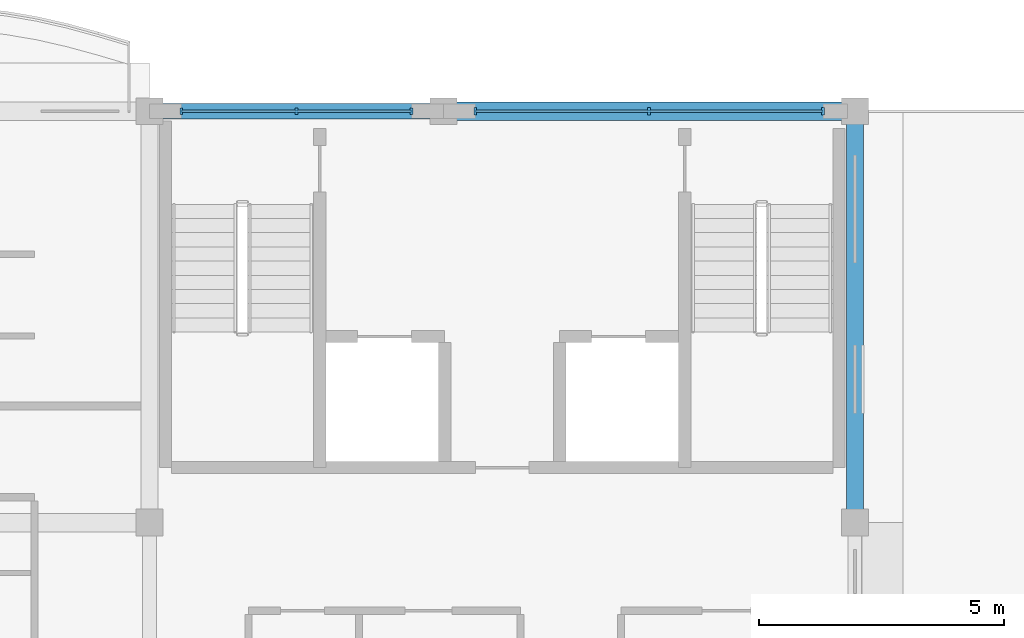
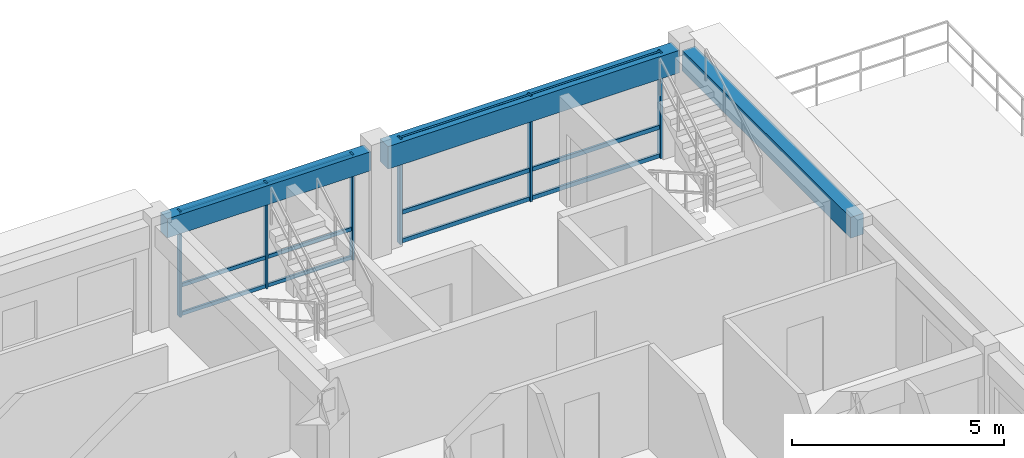
# One storey, part 17 of 68: 12 members, 3 beams, 2 elements without a shape of their own.
"""IFC4 building model written with IfcOpenShell, lengths in metres."""

from ifc_helpers import new_model, si_unit, direction, frame, origin, origin_2d, place, context, subcontext, project, spatial, rectangle, extrude, material, material_profile, profile_set, type_object, element, aggregate, save


model = new_model("IFC4")

# Units and contexts
model_context = context("Model", 3, precision=1e-05, world=origin(), true_north=direction((0.0, 1.0)))
body_context = subcontext(model_context, "Body", "Model", "MODEL_VIEW")
ifc_project = project(units=[si_unit("LENGTHUNIT", "METRE"), si_unit("AREAUNIT", "SQUARE_METRE"), si_unit("VOLUMEUNIT", "CUBIC_METRE"), si_unit("PLANEANGLEUNIT", "RADIAN"), si_unit("MASSUNIT", "GRAM", prefix="KILO"), si_unit("THERMODYNAMICTEMPERATUREUNIT", "KELVIN")], contexts=[model_context])

# Site, building, storey
site_placement = place(None, origin())
site = spatial("IfcSite", under=ifc_project, at=site_placement, CompositionType="ELEMENT")
building_placement = place(site_placement, origin())
building = spatial("IfcBuilding", under=site, at=building_placement, Name="Thalorik Housing Commons", CompositionType="ELEMENT")
storey_placement = place(building_placement, frame((0.0, 0.0, 24.60009765625)))
storey = spatial("IfcBuildingStorey", under=building, at=storey_placement, Name="L07", CompositionType="ELEMENT", Elevation=24.60009765625)

# Curtain wall, members
ifc_material_1 = material(Name="Anodised aluminium and solar-control low-E glass", Category="aluminium")
curtain_wall_type = type_object("IfcCurtainWallType", Name="ARC-CW-CORE", PredefinedType="USERDEFINED", material=ifc_material_1)
curtain_wall_1_placement = place(storey_placement, origin())
curtain_wall_1 = element("IfcCurtainWall", 1, at=curtain_wall_1_placement, inside=storey, type_object=curtain_wall_type, Name="L07 Curtain Wall CW-CORE-L07-B-102", ObjectType="CURTAIN WALL", PredefinedType="USERDEFINED")
ifc_material_2 = material(Name="Anodised aluminium 6063-T6", Category="aluminium")
ifc_material_profile_1 = material_profile(ifc_material_2, rectangle(XDim=0.054931640625, YDim=0.139892578125, at=origin_2d()), Name="ALU MUL 55x140", Category="aluminium")
ifc_profile_set_1 = profile_set([ifc_material_profile_1], Name="Anodised aluminium 6063-T6")
member_type_1 = type_object("IfcMemberType", Name="ARC-CW-MUL-55x140", PredefinedType="MULLION", material=ifc_profile_set_1)
member_1_placement = place(storey_placement, frame((157.75, 123.60009765625, 0.0), z_axis=(0.0, 0.0, 1.0), x_axis=(-1.0, 0.0, 0.0)))
member_1 = element("IfcMember", 2, at=member_1_placement, type_object=member_type_1, Name="CW-CORE-L07-B-102 Mullion 1", PredefinedType="MULLION", context=body_context, shape_type="SweptSolid", body=[
    extrude(rectangle(XDim=0.054931640625, YDim=0.139892578125, at=origin_2d()), origin(), (0.0, 0.0, 1.0), 3.039794921875),
])
member_2_placement = place(storey_placement, frame((155.39990234375, 123.60009765625, 0.0), z_axis=(0.0, 0.0, 1.0), x_axis=(-1.0, 0.0, 0.0)))
member_2 = element("IfcMember", 3, at=member_2_placement, type_object=member_type_1, Name="CW-CORE-L07-B-102 Mullion 2", PredefinedType="MULLION", context=body_context, shape_type="SweptSolid", body=[
    extrude(rectangle(XDim=0.054931640625, YDim=0.139892578125, at=origin_2d()), origin(), (0.0, 0.0, 1.0), 3.039794921875),
])
member_3_placement = place(storey_placement, frame((153.050048828125, 123.60009765625, 0.0), z_axis=(0.0, 0.0, 1.0), x_axis=(-1.0, 0.0, 0.0)))
member_3 = element("IfcMember", 4, at=member_3_placement, type_object=member_type_1, Name="CW-CORE-L07-B-102 Mullion 3", PredefinedType="MULLION", context=body_context, shape_type="SweptSolid", body=[
    extrude(rectangle(XDim=0.054931640625, YDim=0.139892578125, at=origin_2d()), origin(), (0.0, 0.0, 1.0), 3.039794921875),
])

curtain_wall_2_placement = place(storey_placement, origin())
curtain_wall_2 = element("IfcCurtainWall", 5, at=curtain_wall_2_placement, inside=storey, type_object=curtain_wall_type, Name="L07 Curtain Wall CW-CORE-L07-B-101", ObjectType="CURTAIN WALL", PredefinedType="USERDEFINED")
ifc_material_profile_2 = material_profile(ifc_material_2, rectangle(XDim=0.06005859375, YDim=0.159912109375, at=origin_2d()), Name="ALU MUL 60x160", Category="aluminium")
ifc_profile_set_2 = profile_set([ifc_material_profile_2], Name="Anodised aluminium 6063-T6")
member_type_2 = type_object("IfcMemberType", Name="ARC-CW-MUL-60x160", PredefinedType="MULLION", material=ifc_profile_set_2)
member_4_placement = place(storey_placement, frame((166.14990234375, 123.60009765625, 0.0), z_axis=(0.0, 0.0, 1.0), x_axis=(-1.0, 0.0, 0.0)))
member_4 = element("IfcMember", 6, at=member_4_placement, type_object=member_type_2, Name="CW-CORE-L07-B-101 Mullion 1", PredefinedType="MULLION", context=body_context, shape_type="SweptSolid", body=[
    extrude(rectangle(XDim=0.06005859375, YDim=0.159912109375, at=origin_2d()), origin(), (0.0, 0.0, 1.0), 3.039794921875),
])
member_5_placement = place(storey_placement, frame((162.60009765625, 123.60009765625, 0.0), z_axis=(0.0, 0.0, 1.0), x_axis=(-1.0, 0.0, 0.0)))
member_5 = element("IfcMember", 7, at=member_5_placement, type_object=member_type_2, Name="CW-CORE-L07-B-101 Mullion 2", PredefinedType="MULLION", context=body_context, shape_type="SweptSolid", body=[
    extrude(rectangle(XDim=0.06005859375, YDim=0.159912109375, at=origin_2d()), origin(), (0.0, 0.0, 1.0), 3.039794921875),
])
member_6_placement = place(storey_placement, frame((159.050048828125, 123.60009765625, 0.0), z_axis=(0.0, 0.0, 1.0), x_axis=(-1.0, 0.0, 0.0)))
member_6 = element("IfcMember", 8, at=member_6_placement, type_object=member_type_2, Name="CW-CORE-L07-B-101 Mullion 3", PredefinedType="MULLION", context=body_context, shape_type="SweptSolid", body=[
    extrude(rectangle(XDim=0.06005859375, YDim=0.159912109375, at=origin_2d()), origin(), (0.0, 0.0, 1.0), 3.039794921875),
])

# Member
ifc_material_profile_3 = material_profile(ifc_material_2, rectangle(XDim=0.054931640625, YDim=0.10498046875, at=origin_2d()), Name="ALU TRN 55x105", Category="aluminium")
ifc_profile_set_3 = profile_set([ifc_material_profile_3], Name="Anodised aluminium 6063-T6")
member_type_3 = type_object("IfcMemberType", Name="ARC-CW-TRN-55x105", PredefinedType="USERDEFINED", material=ifc_profile_set_3)
member_7_placement = place(storey_placement, frame((157.75, 123.60009765625, 0.054931640625), z_axis=(-1.0, 0.0, 0.0), x_axis=(0.0, -1.0, 0.0)))
member_7 = element("IfcMember", 9, at=member_7_placement, type_object=member_type_3, Name="CW-CORE-L07-B-102 Transom 1", ObjectType="TRANSOM", PredefinedType="USERDEFINED", context=body_context, shape_type="SweptSolid", body=[
    extrude(rectangle(XDim=0.054931640625, YDim=0.10498046875, at=origin_2d()), origin(), (0.0, 0.0, 1.0), 4.699951171875),
])

member_8_placement = place(storey_placement, frame((157.75, 123.60009765625, 0.8798828125), z_axis=(-1.0, 0.0, 0.0), x_axis=(0.0, -1.0, 0.0)))
member_8 = element("IfcMember", 10, at=member_8_placement, type_object=member_type_3, Name="CW-CORE-L07-B-102 Transom 2", ObjectType="TRANSOM", PredefinedType="USERDEFINED", context=body_context, shape_type="SweptSolid", body=[
    extrude(rectangle(XDim=0.054931640625, YDim=0.10498046875, at=origin_2d()), origin(), (0.0, 0.0, 1.0), 4.699951171875),
])

member_9_placement = place(storey_placement, frame((157.75, 123.60009765625, 2.98486328125), z_axis=(-1.0, 0.0, 0.0), x_axis=(0.0, -1.0, 0.0)))
member_9 = element("IfcMember", 11, at=member_9_placement, type_object=member_type_3, Name="CW-CORE-L07-B-102 Transom 3", ObjectType="TRANSOM", PredefinedType="USERDEFINED", context=body_context, shape_type="SweptSolid", body=[
    extrude(rectangle(XDim=0.054931640625, YDim=0.10498046875, at=origin_2d()), origin(), (0.0, 0.0, 1.0), 4.699951171875),
])

aggregate(curtain_wall_1, [member_1, member_2, member_3, member_7, member_8, member_9])

ifc_material_profile_4 = material_profile(ifc_material_2, rectangle(XDim=0.06005859375, YDim=0.1201171875, at=origin_2d()), Name="ALU TRN 60x120", Category="aluminium")
ifc_profile_set_4 = profile_set([ifc_material_profile_4], Name="Anodised aluminium 6063-T6")
member_type_4 = type_object("IfcMemberType", Name="ARC-CW-TRN-60x120", PredefinedType="USERDEFINED", material=ifc_profile_set_4)
member_10_placement = place(storey_placement, frame((166.14990234375, 123.60009765625, 0.054931640625), z_axis=(-1.0, 0.0, 0.0), x_axis=(0.0, -1.0, 0.0)))
member_10 = element("IfcMember", 12, at=member_10_placement, type_object=member_type_4, Name="CW-CORE-L07-B-101 Transom 1", ObjectType="TRANSOM", PredefinedType="USERDEFINED", context=body_context, shape_type="SweptSolid", body=[
    extrude(rectangle(XDim=0.06005859375, YDim=0.1201171875, at=origin_2d()), origin(), (0.0, 0.0, 1.0), 7.099853515625),
])

member_11_placement = place(storey_placement, frame((166.14990234375, 123.60009765625, 0.8798828125), z_axis=(-1.0, 0.0, 0.0), x_axis=(0.0, -1.0, 0.0)))
member_11 = element("IfcMember", 13, at=member_11_placement, type_object=member_type_4, Name="CW-CORE-L07-B-101 Transom 2", ObjectType="TRANSOM", PredefinedType="USERDEFINED", context=body_context, shape_type="SweptSolid", body=[
    extrude(rectangle(XDim=0.06005859375, YDim=0.1201171875, at=origin_2d()), origin(), (0.0, 0.0, 1.0), 7.099853515625),
])

member_12_placement = place(storey_placement, frame((166.14990234375, 123.60009765625, 2.98486328125), z_axis=(-1.0, 0.0, 0.0), x_axis=(0.0, -1.0, 0.0)))
member_12 = element("IfcMember", 14, at=member_12_placement, type_object=member_type_4, Name="CW-CORE-L07-B-101 Transom 3", ObjectType="TRANSOM", PredefinedType="USERDEFINED", context=body_context, shape_type="SweptSolid", body=[
    extrude(rectangle(XDim=0.06005859375, YDim=0.1201171875, at=origin_2d()), origin(), (0.0, 0.0, 1.0), 7.099853515625),
])

aggregate(curtain_wall_2, [member_4, member_5, member_6, member_10, member_11, member_12])

# Beams
ifc_material_3 = material(Name="Precast concrete C40/50", Category="concrete")
ifc_material_profile_5 = material_profile(ifc_material_3, rectangle(XDim=0.320068359375, YDim=0.550048828125, at=origin_2d()), Name="PC 320x550", Category="concrete")
ifc_profile_set_5 = profile_set([ifc_material_profile_5], Name="Precast concrete C40/50")
beam_type_1 = type_object("IfcBeamType", Name="STR-BM-PC320x550", PredefinedType="BEAM", material=ifc_profile_set_5)
beam_1_placement = place(storey_placement, frame((152.625, 123.60009765625, 2.764892578125), z_axis=(1.0, 0.0, 0.0), x_axis=(0.0, 1.0, 0.0)))
element("IfcBeam", 15, at=beam_1_placement, inside=storey, type_object=beam_type_1, Name="L07 Beam B-550", PredefinedType="BEAM", context=body_context, shape_type="SweptSolid", body=[
    extrude(rectangle(XDim=0.320068359375, YDim=0.550048828125, at=origin_2d()), origin(), (0.0, 0.0, 1.0), 5.550048828125),
])
ifc_material_profile_6 = material_profile(ifc_material_3, rectangle(XDim=0.35009765625, YDim=0.60009765625, at=origin_2d()), Name="PC 350x600", Category="concrete")
ifc_profile_set_6 = profile_set([ifc_material_profile_6], Name="Precast concrete C40/50")
beam_type_2 = type_object("IfcBeamType", Name="STR-BM-PC350x600", PredefinedType="BEAM", material=ifc_profile_set_6)
beam_2_placement = place(storey_placement, frame((166.800048828125, 115.425048828125, 2.739990234375), z_axis=(0.0, 1.0, 0.0), x_axis=(-1.0, 0.0, 0.0)))
element("IfcBeam", 16, at=beam_2_placement, inside=storey, type_object=beam_type_2, Name="L07 Beam B-600", PredefinedType="BEAM", context=body_context, shape_type="SweptSolid", body=[
    extrude(rectangle(XDim=0.35009765625, YDim=0.60009765625, at=origin_2d()), origin(), (0.0, 0.0, 1.0), 7.949951171875),
])
ifc_material_profile_7 = material_profile(ifc_material_3, rectangle(XDim=0.3798828125, YDim=0.64990234375, at=origin_2d()), Name="PC 380x650", Category="concrete")
ifc_profile_set_7 = profile_set([ifc_material_profile_7], Name="Precast concrete C40/50")
beam_type_3 = type_object("IfcBeamType", Name="STR-BM-PC380x650", PredefinedType="BEAM", material=ifc_profile_set_7)
beam_3_placement = place(storey_placement, frame((158.625, 123.60009765625, 2.71484375), z_axis=(1.0, 0.0, 0.0), x_axis=(0.0, 1.0, 0.0)))
element("IfcBeam", 17, at=beam_3_placement, inside=storey, type_object=beam_type_3, Name="L07 Beam B-650", PredefinedType="BEAM", context=body_context, shape_type="SweptSolid", body=[
    extrude(rectangle(XDim=0.3798828125, YDim=0.64990234375, at=origin_2d()), origin(), (0.0, 0.0, 1.0), 7.949951171875),
])

save(model, "model.ifc")
